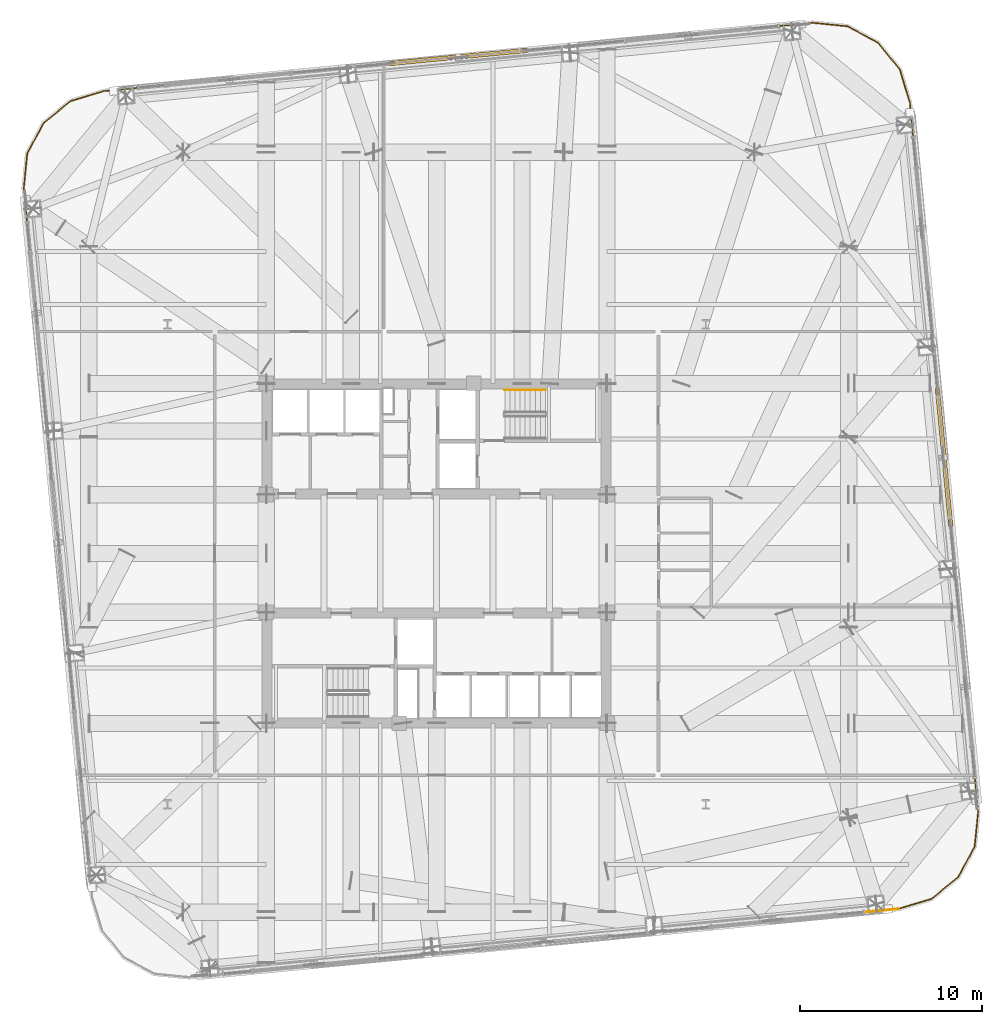
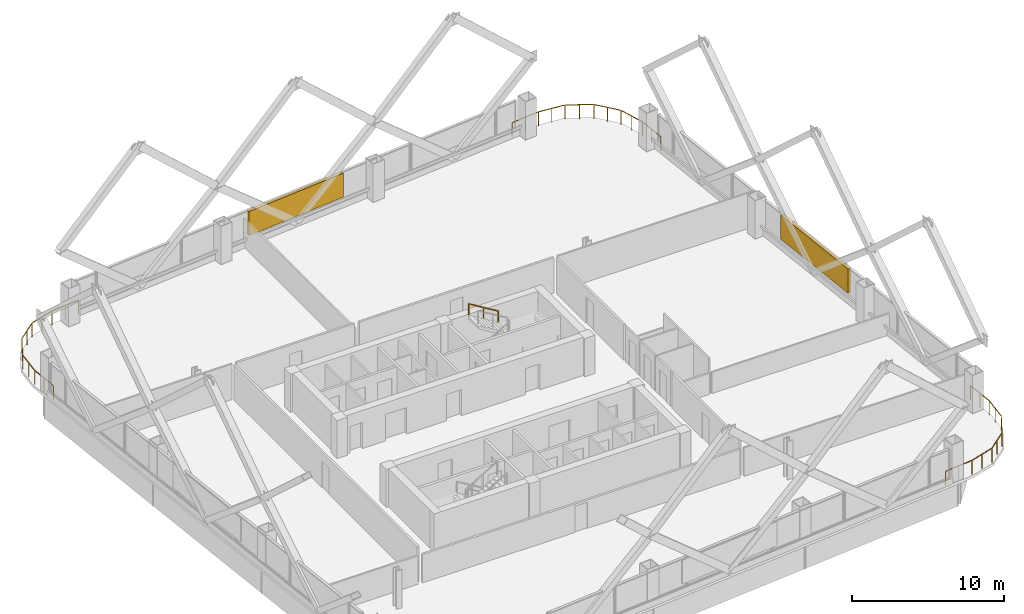
# One storey, part 42 of 42: 5 railings, 2 shading devices.
"""IFC4 building model written with IfcOpenShell, lengths in metres."""

from ifc_helpers import new_model, si_unit, direction, frame, origin, origin_2d, place, context, subcontext, project, spatial, rectangle, extrude, material, type_object, element, save


model = new_model("IFC4")

# Units and contexts
model_context = context("Model", 3, precision=1e-05, world=origin(), true_north=direction((0.0, 1.0)))
body_context = subcontext(model_context, "Body", "Model", "MODEL_VIEW")
ifc_project = project(units=[si_unit("LENGTHUNIT", "METRE"), si_unit("AREAUNIT", "SQUARE_METRE"), si_unit("VOLUMEUNIT", "CUBIC_METRE"), si_unit("PLANEANGLEUNIT", "RADIAN"), si_unit("MASSUNIT", "GRAM", prefix="KILO")], contexts=[model_context])

# Site, building, storey
site_placement = place(None, origin())
site = spatial("IfcSite", under=ifc_project, at=site_placement, CompositionType="ELEMENT")
building_placement = place(site_placement, origin())
building = spatial("IfcBuilding", under=site, at=building_placement, Name="Qhalaya Broadcast Tower", CompositionType="ELEMENT")
storey_placement = place(building_placement, frame((0.0, 0.0, 69.449951171875)))
storey = spatial("IfcBuildingStorey", under=building, at=storey_placement, Name="L19", CompositionType="ELEMENT", Elevation=69.449951171875)

# Railings
ifc_material_1 = material(Name="Powder-Coated Galvanised Steel", Category="steel")
railing_type_1 = type_object("IfcRailingType", Name="Stair Wall Handrail 900", PredefinedType="HANDRAIL", material=ifc_material_1)
railing_1_placement = place(storey_placement, frame((5.989990234375, 9.590087890625, 1.694580078125)))
element("IfcRailing", 1, at=railing_1_placement, inside=storey, type_object=railing_type_1, Name="L19 ST-1 Stair Handrail 2", PredefinedType="HANDRAIL", context=body_context, shape_type="SweptSolid", body=[
    extrude(rectangle(XDim=0.048095703125, YDim=0.048095703125, at=origin_2d()), frame((0.0, 0.0, 0.8759765625), z_axis=(-0.855553338991, 0.0, 0.51771467445), x_axis=(0.0, -1.0, 0.0)), (0.0, 0.0, 1.0), 2.6181640625),
    extrude(rectangle(XDim=0.0419921875, YDim=0.0419921875, at=origin_2d()), origin(), (0.0, 0.0, 1.0), 0.849853515625),
    extrude(rectangle(XDim=0.0419921875, YDim=0.0419921875, at=origin_2d()), frame((-1.1201171875, 0.0, 0.677734375)), (0.0, 0.0, 1.0), 0.849853515625),
    extrude(rectangle(XDim=0.0419921875, YDim=0.0419921875, at=origin_2d()), frame((-2.239990234375, 0.0, 1.35546875)), (0.0, 0.0, 1.0), 0.849853515625),
])
railing_type_2 = type_object("IfcRailingType", Name="Terrace, Sky-Pool & Lookout Glass Balustrade 1150", PredefinedType="BALUSTRADE", material=ifc_material_1)
railing_2_placement = place(storey_placement, frame((25.38427734375, -18.949951171875, 0.0)))
element("IfcRailing", 2, at=railing_2_placement, inside=storey, type_object=railing_type_2, Name="L19 Rounded Corner Perimeter Guard 01", PredefinedType="BALUSTRADE", context=body_context, shape_type="SweptSolid", body=[
    extrude(rectangle(XDim=0.048095703125, YDim=0.048095703125, at=origin_2d()), frame((0.0, 0.0, 1.1259765625), z_axis=(-0.995402268864, -0.095782687057, 0.0), x_axis=(0.095782687057, -0.995402268864, 0.0)), (0.0, 0.0, 1.0), 2.1181640625),
    extrude(rectangle(XDim=0.0419921875, YDim=0.0419921875, at=origin_2d()), origin(), (0.0, 0.0, 1.0), 1.099853515625),
    extrude(rectangle(XDim=0.0419921875, YDim=0.0419921875, at=origin_2d()), frame((-1.05419921875, -0.1015625, 0.0)), (0.0, 0.0, 1.0), 1.099853515625),
    extrude(rectangle(XDim=0.0419921875, YDim=0.0419921875, at=origin_2d()), frame((-2.1083984375, -0.202880859375, 0.0)), (0.0, 0.0, 1.0), 1.099853515625),
])
railing_3_placement = place(storey_placement, frame((-22.501708984375, 18.583251953125, 0.0)))
element("IfcRailing", 3, at=railing_3_placement, inside=storey, type_object=railing_type_2, Name="L19 Rounded Corner Perimeter Guard 03", PredefinedType="BALUSTRADE", context=body_context, shape_type="SweptSolid", body=[
    extrude(rectangle(XDim=0.048095703125, YDim=0.048095703125, at=origin_2d()), frame((0.0, 0.0, 1.1259765625), z_axis=(-0.095782687057, 0.995402268864, 0.0), x_axis=(-0.995402268864, -0.095782687057, 0.0)), (0.0, 0.0, 1.0), 2.08935546875),
    extrude(rectangle(XDim=0.048095703125, YDim=0.048095703125, at=origin_2d()), frame((-0.199951171875, 2.13720703125, 1.1259765625), z_axis=(0.100071682341, 0.994980230152, 0.0), x_axis=(-0.994980230152, 0.100071682341, 0.0)), (0.0, 0.0, 1.0), 1.857421875),
    extrude(rectangle(XDim=0.048095703125, YDim=0.048095703125, at=origin_2d()), frame((0.00244140625, 4.039306640625, 1.1259765625), z_axis=(0.473342342286, 0.880878554058, 0.0), x_axis=(-0.880878554058, 0.473342342286, 0.0)), (0.0, 0.0, 1.0), 1.845458984375),
    extrude(rectangle(XDim=0.048095703125, YDim=0.048095703125, at=origin_2d()), frame((0.912109375, 5.708740234375, 1.1259765625), z_axis=(0.774420039683, 0.632671796541, 0.0), x_axis=(-0.632671796541, 0.774420039683, 0.0)), (0.0, 0.0, 1.0), 1.845458984375),
    extrude(rectangle(XDim=0.048095703125, YDim=0.048095703125, at=origin_2d()), frame((2.39111328125, 6.90283203125, 1.1259765625), z_axis=(0.95756627332, 0.288213171456, 0.0), x_axis=(-0.288213171456, 0.95756627332, 0.0)), (0.0, 0.0, 1.0), 1.857421875),
    extrude(rectangle(XDim=0.048095703125, YDim=0.048095703125, at=origin_2d()), frame((4.226318359375, 7.44921875, 1.1259765625), z_axis=(0.995391273094, 0.095896889673, 0.0), x_axis=(-0.095896889673, 0.995391273094, 0.0)), (0.0, 0.0, 1.0), 2.08935546875),
    extrude(rectangle(XDim=0.0419921875, YDim=0.0419921875, at=origin_2d()), origin(), (0.0, 0.0, 1.0), 1.099853515625),
    extrude(rectangle(XDim=0.0419921875, YDim=0.0419921875, at=origin_2d()), frame((-0.1015625, 1.05419921875, 0.0)), (0.0, 0.0, 1.0), 1.099853515625),
    extrude(rectangle(XDim=0.0419921875, YDim=0.0419921875, at=origin_2d()), frame((-0.202880859375, 2.1083984375, 0.0)), (0.0, 0.0, 1.0), 1.099853515625),
    extrude(rectangle(XDim=0.0419921875, YDim=0.0419921875, at=origin_2d()), frame((-0.10693359375, 3.06103515625, 0.0)), (0.0, 0.0, 1.0), 1.099853515625),
    extrude(rectangle(XDim=0.0419921875, YDim=0.0419921875, at=origin_2d()), frame((-0.01123046875, 4.013916015625, 0.0)), (0.0, 0.0, 1.0), 1.099853515625),
    extrude(rectangle(XDim=0.0419921875, YDim=0.0419921875, at=origin_2d()), frame((0.439208984375, 4.85205078125, 0.0)), (0.0, 0.0, 1.0), 1.099853515625),
    extrude(rectangle(XDim=0.0419921875, YDim=0.0419921875, at=origin_2d()), frame((0.8896484375, 5.6904296875, 0.0)), (0.0, 0.0, 1.0), 1.099853515625),
    extrude(rectangle(XDim=0.0419921875, YDim=0.0419921875, at=origin_2d()), frame((1.62646484375, 6.29248046875, 0.0)), (0.0, 0.0, 1.0), 1.099853515625),
    extrude(rectangle(XDim=0.0419921875, YDim=0.0419921875, at=origin_2d()), frame((2.363525390625, 6.89453125, 0.0)), (0.0, 0.0, 1.0), 1.099853515625),
    extrude(rectangle(XDim=0.0419921875, YDim=0.0419921875, at=origin_2d()), frame((3.280517578125, 7.17041015625, 0.0)), (0.0, 0.0, 1.0), 1.099853515625),
    extrude(rectangle(XDim=0.0419921875, YDim=0.0419921875, at=origin_2d()), frame((4.197509765625, 7.446533203125, 0.0)), (0.0, 0.0, 1.0), 1.099853515625),
    extrude(rectangle(XDim=0.0419921875, YDim=0.0419921875, at=origin_2d()), frame((5.251708984375, 7.548095703125, 0.0)), (0.0, 0.0, 1.0), 1.099853515625),
    extrude(rectangle(XDim=0.0419921875, YDim=0.0419921875, at=origin_2d()), frame((6.305908203125, 7.649658203125, 0.0)), (0.0, 0.0, 1.0), 1.099853515625),
])
railing_4_placement = place(storey_placement, frame((18.583251953125, 29.581787109375, 0.0)))
element("IfcRailing", 4, at=railing_4_placement, inside=storey, type_object=railing_type_2, Name="L19 Rounded Corner Perimeter Guard 04", PredefinedType="BALUSTRADE", context=body_context, shape_type="SweptSolid", body=[
    extrude(rectangle(XDim=0.048095703125, YDim=0.048095703125, at=origin_2d()), frame((0.0, 0.0, 1.1259765625), z_axis=(0.995402268864, 0.095782687057, 0.0), x_axis=(-0.095782687057, 0.995402268864, 0.0)), (0.0, 0.0, 1.0), 2.08935546875),
    extrude(rectangle(XDim=0.048095703125, YDim=0.048095703125, at=origin_2d()), frame((2.13720703125, 0.199951171875, 1.1259765625), z_axis=(0.994980230152, -0.100071682341, 0.0), x_axis=(0.100071682341, 0.994980230152, 0.0)), (0.0, 0.0, 1.0), 1.857421875),
    extrude(rectangle(XDim=0.048095703125, YDim=0.048095703125, at=origin_2d()), frame((4.039306640625, -0.00244140625, 1.1259765625), z_axis=(0.880878554058, -0.473342342286, 0.0), x_axis=(0.473342342286, 0.880878554058, 0.0)), (0.0, 0.0, 1.0), 1.845458984375),
    extrude(rectangle(XDim=0.048095703125, YDim=0.048095703125, at=origin_2d()), frame((5.708740234375, -0.912109375, 1.1259765625), z_axis=(0.632671796541, -0.774420039683, 0.0), x_axis=(0.774420039683, 0.632671796541, 0.0)), (0.0, 0.0, 1.0), 1.845458984375),
    extrude(rectangle(XDim=0.048095703125, YDim=0.048095703125, at=origin_2d()), frame((6.90283203125, -2.39111328125, 1.1259765625), z_axis=(0.288213171456, -0.95756627332, 0.0), x_axis=(0.95756627332, 0.288213171456, 0.0)), (0.0, 0.0, 1.0), 1.857421875),
    extrude(rectangle(XDim=0.048095703125, YDim=0.048095703125, at=origin_2d()), frame((7.44921875, -4.226318359375, 1.1259765625), z_axis=(0.095896889673, -0.995391273094, 0.0), x_axis=(0.995391273094, 0.095896889673, 0.0)), (0.0, 0.0, 1.0), 2.08935546875),
    extrude(rectangle(XDim=0.0419921875, YDim=0.0419921875, at=origin_2d()), origin(), (0.0, 0.0, 1.0), 1.099853515625),
    extrude(rectangle(XDim=0.0419921875, YDim=0.0419921875, at=origin_2d()), frame((1.05419921875, 0.1015625, 0.0)), (0.0, 0.0, 1.0), 1.099853515625),
    extrude(rectangle(XDim=0.0419921875, YDim=0.0419921875, at=origin_2d()), frame((2.1083984375, 0.202880859375, 0.0)), (0.0, 0.0, 1.0), 1.099853515625),
    extrude(rectangle(XDim=0.0419921875, YDim=0.0419921875, at=origin_2d()), frame((3.06103515625, 0.10693359375, 0.0)), (0.0, 0.0, 1.0), 1.099853515625),
    extrude(rectangle(XDim=0.0419921875, YDim=0.0419921875, at=origin_2d()), frame((4.013916015625, 0.01123046875, 0.0)), (0.0, 0.0, 1.0), 1.099853515625),
    extrude(rectangle(XDim=0.0419921875, YDim=0.0419921875, at=origin_2d()), frame((4.85205078125, -0.439208984375, 0.0)), (0.0, 0.0, 1.0), 1.099853515625),
    extrude(rectangle(XDim=0.0419921875, YDim=0.0419921875, at=origin_2d()), frame((5.6904296875, -0.8896484375, 0.0)), (0.0, 0.0, 1.0), 1.099853515625),
    extrude(rectangle(XDim=0.0419921875, YDim=0.0419921875, at=origin_2d()), frame((6.29248046875, -1.62646484375, 0.0)), (0.0, 0.0, 1.0), 1.099853515625),
    extrude(rectangle(XDim=0.0419921875, YDim=0.0419921875, at=origin_2d()), frame((6.89453125, -2.363525390625, 0.0)), (0.0, 0.0, 1.0), 1.099853515625),
    extrude(rectangle(XDim=0.0419921875, YDim=0.0419921875, at=origin_2d()), frame((7.17041015625, -3.280517578125, 0.0)), (0.0, 0.0, 1.0), 1.099853515625),
    extrude(rectangle(XDim=0.0419921875, YDim=0.0419921875, at=origin_2d()), frame((7.446533203125, -4.197509765625, 0.0)), (0.0, 0.0, 1.0), 1.099853515625),
    extrude(rectangle(XDim=0.0419921875, YDim=0.0419921875, at=origin_2d()), frame((7.548095703125, -5.251708984375, 0.0)), (0.0, 0.0, 1.0), 1.099853515625),
    extrude(rectangle(XDim=0.0419921875, YDim=0.0419921875, at=origin_2d()), frame((7.649658203125, -6.305908203125, 0.0)), (0.0, 0.0, 1.0), 1.099853515625),
])
railing_5_placement = place(storey_placement, frame((29.581787109375, -11.50341796875, 0.0)))
element("IfcRailing", 5, at=railing_5_placement, inside=storey, type_object=railing_type_2, Name="L19 Rounded Corner Perimeter Guard 05", PredefinedType="BALUSTRADE", context=body_context, shape_type="SweptSolid", body=[
    extrude(rectangle(XDim=0.048095703125, YDim=0.048095703125, at=origin_2d()), frame((0.0, 0.0, 1.1259765625), z_axis=(0.095782687057, -0.995402268864, 0.0), x_axis=(0.995402268864, 0.095782687057, 0.0)), (0.0, 0.0, 1.0), 2.08935546875),
    extrude(rectangle(XDim=0.048095703125, YDim=0.048095703125, at=origin_2d()), frame((0.199951171875, -2.13720703125, 1.1259765625), z_axis=(-0.100084377028, -0.994978953282, 0.0), x_axis=(0.994978953282, -0.100084377028, 0.0)), (0.0, 0.0, 1.0), 1.857177734375),
    extrude(rectangle(XDim=0.048095703125, YDim=0.048095703125, at=origin_2d()), frame((-0.00244140625, -4.0390625, 1.1259765625), z_axis=(-0.473288861424, -0.880907290044, 0.0), x_axis=(0.880907290044, -0.473288861424, 0.0)), (0.0, 0.0, 1.0), 1.845703125),
    extrude(rectangle(XDim=0.048095703125, YDim=0.048095703125, at=origin_2d()), frame((-0.912109375, -5.708740234375, 1.1259765625), z_axis=(-0.774420039683, -0.632671796541, 0.0), x_axis=(0.632671796541, -0.774420039683, 0.0)), (0.0, 0.0, 1.0), 1.845458984375),
    extrude(rectangle(XDim=0.048095703125, YDim=0.048095703125, at=origin_2d()), frame((-2.39111328125, -6.90283203125, 1.1259765625), z_axis=(-0.95756627332, -0.288213171456, 0.0), x_axis=(0.288213171456, -0.95756627332, 0.0)), (0.0, 0.0, 1.0), 1.886474609375),
    extrude(rectangle(XDim=0.0419921875, YDim=0.0419921875, at=origin_2d()), origin(), (0.0, 0.0, 1.0), 1.099853515625),
    extrude(rectangle(XDim=0.0419921875, YDim=0.0419921875, at=origin_2d()), frame((0.1015625, -1.05419921875, 0.0)), (0.0, 0.0, 1.0), 1.099853515625),
    extrude(rectangle(XDim=0.0419921875, YDim=0.0419921875, at=origin_2d()), frame((0.202880859375, -2.1083984375, 0.0)), (0.0, 0.0, 1.0), 1.099853515625),
    extrude(rectangle(XDim=0.0419921875, YDim=0.0419921875, at=origin_2d()), frame((0.10693359375, -3.06103515625, 0.0)), (0.0, 0.0, 1.0), 1.099853515625),
    extrude(rectangle(XDim=0.0419921875, YDim=0.0419921875, at=origin_2d()), frame((0.01123046875, -4.013671875, 0.0)), (0.0, 0.0, 1.0), 1.099853515625),
    extrude(rectangle(XDim=0.0419921875, YDim=0.0419921875, at=origin_2d()), frame((-0.439208984375, -4.85205078125, 0.0)), (0.0, 0.0, 1.0), 1.099853515625),
    extrude(rectangle(XDim=0.0419921875, YDim=0.0419921875, at=origin_2d()), frame((-0.8896484375, -5.6904296875, 0.0)), (0.0, 0.0, 1.0), 1.099853515625),
    extrude(rectangle(XDim=0.0419921875, YDim=0.0419921875, at=origin_2d()), frame((-1.62646484375, -6.29248046875, 0.0)), (0.0, 0.0, 1.0), 1.099853515625),
    extrude(rectangle(XDim=0.0419921875, YDim=0.0419921875, at=origin_2d()), frame((-2.363525390625, -6.89453125, 0.0)), (0.0, 0.0, 1.0), 1.099853515625),
    extrude(rectangle(XDim=0.0419921875, YDim=0.0419921875, at=origin_2d()), frame((-3.280517578125, -7.17041015625, 0.0)), (0.0, 0.0, 1.0), 1.099853515625),
    extrude(rectangle(XDim=0.0419921875, YDim=0.0419921875, at=origin_2d()), frame((-4.197509765625, -7.446533203125, 0.0)), (0.0, 0.0, 1.0), 1.099853515625),
])

# Shading devices
ifc_material_2 = material(Name="Fired Architectural Terracotta", Category="masonry")
shading_device_type = type_object("IfcShadingDeviceType", Name="Terracotta Baguette Solar Screen Assembly TBS-01", PredefinedType="USERDEFINED", material=ifc_material_2)
for number, where, z_axis, x_axis, name in (
    (6, (27.9072265625, 5.88623046875, 0.79248046875), (0.0, 0.0, 1.0), (-0.09584575252, 0.995396198367, 0.0), "L19 Fired Terracotta Baguette Screen E"),
    (7, (1.193603515625, 27.9072265625, 0.79248046875), (0.0, 0.0, 1.0), (-0.995396198367, -0.09584575252, 0.0), "L19 Fired Terracotta Baguette Screen N"),
):
    element("IfcShadingDevice", number, at=place(storey_placement, frame(where, z_axis=z_axis, x_axis=x_axis)), inside=storey, type_object=shading_device_type, Name=name, ObjectType="BAGUETTE", PredefinedType="USERDEFINED", context=body_context, shape_type="SweptSolid", body=[
        extrude(rectangle(XDim=7.60009765625, YDim=0.239990234375, at=origin_2d()), origin(), (0.0, 0.0, 1.0), 1.924072265625),
    ])

save(model, "model.ifc")
